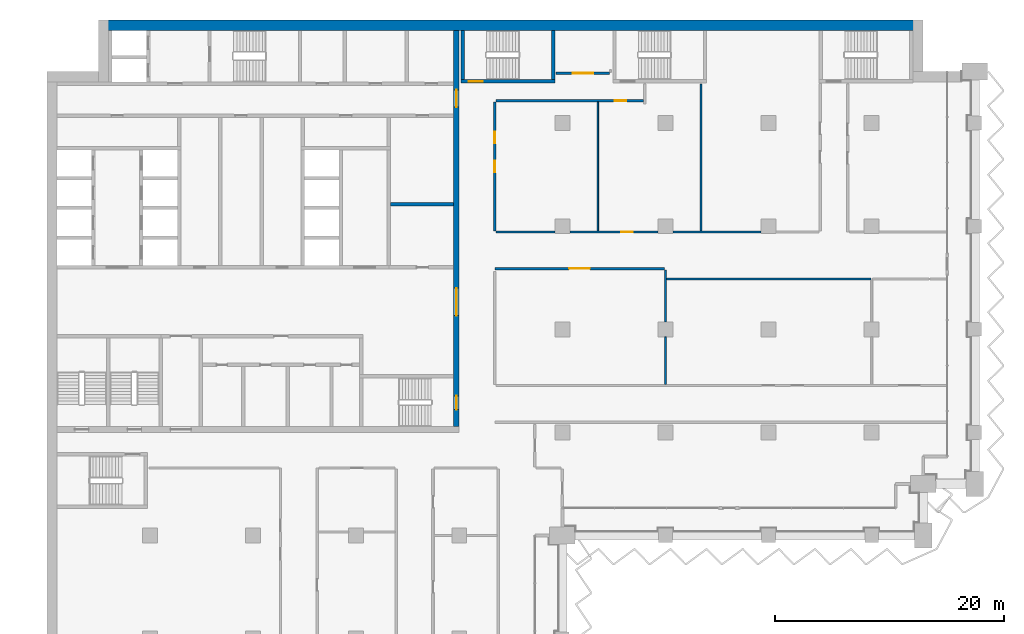
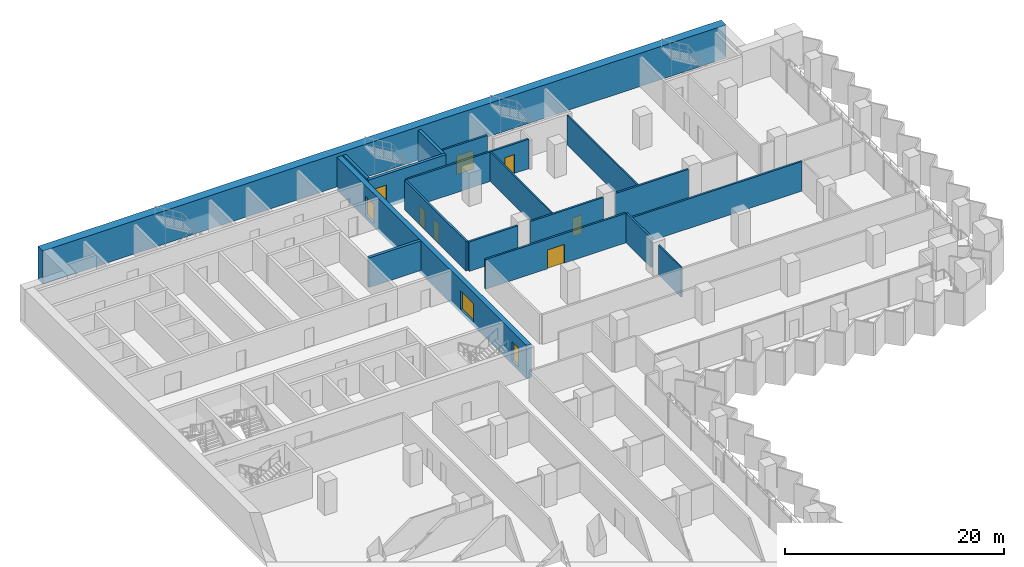
# One storey, part 14 of 23: 18 walls, 10 doors, 10 openings.
"""IFC4 building model written with IfcOpenShell, lengths in metres."""

from ifc_helpers import new_model, si_unit, direction, frame, frame_2d, origin, place, context, subcontext, project, spatial, rectangle, extrude, material, layer, layer_set, type_object, element, fill, save


model = new_model("IFC4")

# Units and contexts
model_context = context("Model", 3, precision=1e-05, world=origin(), true_north=direction((0.0, 1.0)))
body_context = subcontext(model_context, "Body", "Model", "MODEL_VIEW")
ifc_project = project(units=[si_unit("LENGTHUNIT", "METRE"), si_unit("AREAUNIT", "SQUARE_METRE"), si_unit("VOLUMEUNIT", "CUBIC_METRE"), si_unit("PLANEANGLEUNIT", "RADIAN"), si_unit("MASSUNIT", "GRAM", prefix="KILO")], contexts=[model_context])

# Site, building, storey
site_placement = place(None, origin())
site = spatial("IfcSite", under=ifc_project, at=site_placement, CompositionType="ELEMENT")
building_placement = place(site_placement, origin())
building = spatial("IfcBuilding", under=site, at=building_placement, Name="Hunhe Ridgeline Campus", CompositionType="ELEMENT")
storey_placement = place(building_placement, frame((0.0, 0.0, 121.800048828125)))
storey = spatial("IfcBuildingStorey", under=building, at=storey_placement, Name="L30", CompositionType="ELEMENT", Elevation=121.800048828125)

# Wall
ifc_material_1 = material(Name="Masonry concrete blockwork", Category="masonry")
ifc_layer_1 = layer(ifc_material_1, 0.300048828125)
ifc_layer_set_1 = layer_set([ifc_layer_1], Name="Core room partition 300 concrete block")
wall_type_1 = type_object("IfcWallType", Name="Core room partition 300 concrete block", PredefinedType="PARTITIONING", material=ifc_layer_set_1)
wall_1_placement = place(storey_placement, frame((30.0, 82.89990234375, 0.0), z_axis=(0.0, 0.0, 1.0), x_axis=(1.0, 0.0, 0.0)))
element("IfcWall", 1, at=wall_1_placement, inside=storey, type_object=wall_type_1, Name="L30 core partition 20", PredefinedType="PARTITIONING", context=body_context, shape_type="SweptSolid", body=[
    extrude(rectangle(XDim=5.5, YDim=0.300048828125, at=frame_2d((2.75, 0.0))), origin(), (0.0, 0.0, 1.0), 3.300048828125),
])

# Wall, openings, doors
ifc_material_2 = material(Name="Concrete C80", Category="concrete")
ifc_layer_2 = layer(ifc_material_2, 0.5)
ifc_layer_set_2 = layer_set([ifc_layer_2], Name="Core wall 500 reinforced concrete C80")
wall_type_2 = type_object("IfcWallType", Name="Core wall 500 reinforced concrete C80", PredefinedType="SOLIDWALL", material=ifc_layer_set_2)
wall_2_placement = place(storey_placement, frame((35.75, 63.5, -0.400146484375), z_axis=(0.0, 0.0, 1.0), x_axis=(0.0, 1.0, 0.0)))
wall_2 = element("IfcWall", 2, at=wall_2_placement, inside=storey, type_object=wall_type_2, Name="L30 core wall 61", PredefinedType="SOLIDWALL", context=body_context, shape_type="SweptSolid", body=[
    extrude(rectangle(XDim=34.60009765625, YDim=0.5, at=frame_2d((17.300048828125, 0.0))), origin(), (0.0, 0.0, 1.0), 3.7001953125),
])
opening_1_placement = place(wall_2_placement, frame((9.699951171875, 0.0, 0.39990234375)))
opening_1 = element("IfcOpeningElement", 3, at=opening_1_placement, cuts=wall_2, Name="Opening CD4", PredefinedType="OPENING", context=body_context, shape_type="SweptSolid", body=[
    extrude(rectangle(XDim=2.39990234375, YDim=2.10009765625, at=frame_2d((1.199951171875, 1.050048828125))), frame((0.0, 0.25, 0.0), z_axis=(0.0, -1.0, 0.0), x_axis=(1.0, 0.0, 0.0)), (0.0, 0.0, 1.0), 0.5),
])
opening_2_placement = place(wall_2_placement, frame((27.89990234375, 0.0, 0.39990234375)))
opening_2 = element("IfcOpeningElement", 4, at=opening_2_placement, cuts=wall_2, Name="Opening CD5", PredefinedType="OPENING", context=body_context, shape_type="SweptSolid", body=[
    extrude(rectangle(XDim=1.5, YDim=2.10009765625, at=frame_2d((0.75, 1.050048828125))), frame((0.0, 0.25, 0.0), z_axis=(0.0, -1.0, 0.0), x_axis=(1.0, 0.0, 0.0)), (0.0, 0.0, 1.0), 0.5),
])
opening_3_placement = place(wall_2_placement, frame((1.5, 0.0, 0.39990234375)))
opening_3 = element("IfcOpeningElement", 5, at=opening_3_placement, cuts=wall_2, Name="Opening CD15", PredefinedType="OPENING", context=body_context, shape_type="SweptSolid", body=[
    extrude(rectangle(XDim=1.199951171875, YDim=2.10009765625, at=frame_2d((0.60009765625, 1.050048828125))), frame((0.0, 0.25, 0.0), z_axis=(0.0, -1.0, 0.0), x_axis=(1.0, 0.0, 0.0)), (0.0, 0.0, 1.0), 0.5),
])
ifc_material_3 = material(Name="Anodised aluminium and glass", Category="aluminium")
door_type_1 = type_object("IfcDoorType", Name="Glazed double door 2400x2100", OperationType="DOUBLE_DOOR_SINGLE_SWING", PredefinedType="DOOR", material=ifc_material_3)
door_1_placement = place(opening_1_placement, frame((2.39990234375, 0.0, 0.0), z_axis=(0.0, 0.0, 1.0), x_axis=(-1.0, 0.0, 0.0)))
door_1 = element("IfcDoor", 6, at=door_1_placement, inside=storey, type_object=door_type_1, Name="L30 door HALL-FLOOR", OperationType="DOUBLE_DOOR_SINGLE_SWING", OverallHeight=2.10009765625, OverallWidth=2.39990234375, PredefinedType="DOOR", context=body_context, shape_type="SweptSolid", body=[
    extrude(rectangle(XDim=2.39990234375, YDim=2.10009765625, at=frame_2d((1.199951171875, 1.050048828125))), frame((0.0, 0.02490234375, 0.0), z_axis=(0.0, -1.0, 0.0), x_axis=(1.0, 0.0, 0.0)), (0.0, 0.0, 1.0), 0.050048828125),
])
fill(opening_1, door_1)
ifc_material_4 = material(Name="Hollow metal fire door leaf")
door_type_2 = type_object("IfcDoorType", Name="Stair door 1200x2100 FD60", OperationType="SINGLE_SWING_LEFT", PredefinedType="DOOR", material=ifc_material_4)
door_2_placement = place(opening_3_placement, frame((1.199951171875, 0.0, 0.0), z_axis=(0.0, 0.0, 1.0), x_axis=(-1.0, 0.0, 0.0)))
door_2 = element("IfcDoor", 7, at=door_2_placement, inside=storey, type_object=door_type_2, Name="L30 door S2-FLOOR", OperationType="SINGLE_SWING_RIGHT", OverallHeight=2.10009765625, OverallWidth=1.199951171875, PredefinedType="DOOR", context=body_context, shape_type="SweptSolid", body=[
    extrude(rectangle(XDim=1.199951171875, YDim=2.10009765625, at=frame_2d((0.60009765625, 1.050048828125))), frame((0.0, 0.02490234375, 0.0), z_axis=(0.0, -1.0, 0.0), x_axis=(1.0, 0.0, 0.0)), (0.0, 0.0, 1.0), 0.050048828125),
])
fill(opening_3, door_2)
ifc_material_5 = material(Name="Solid core timber door leaf", Category="wood")
door_type_3 = type_object("IfcDoorType", Name="Timber door 1500x2100", OperationType="SINGLE_SWING_LEFT", PredefinedType="DOOR", material=ifc_material_5)
door_3_placement = place(opening_2_placement, frame((1.5, 0.0, 0.0), z_axis=(0.0, 0.0, 1.0), x_axis=(-1.0, 0.0, 0.0)))
door_3 = element("IfcDoor", 8, at=door_3_placement, inside=storey, type_object=door_type_3, Name="L30 door C1-FLOOR", OperationType="SINGLE_SWING_RIGHT", OverallHeight=2.10009765625, OverallWidth=1.5, PredefinedType="DOOR", context=body_context, shape_type="SweptSolid", body=[
    extrude(rectangle(XDim=1.5, YDim=2.10009765625, at=frame_2d((0.75, 1.050048828125))), frame((0.0, 0.02490234375, 0.0), z_axis=(0.0, -1.0, 0.0), x_axis=(1.0, 0.0, 0.0)), (0.0, 0.0, 1.0), 0.050048828125),
])
fill(opening_2, door_3)

# Wall
ifc_material_6 = material(Name="Gypsum board partition")
ifc_layer_3 = layer(ifc_material_6, 0.199951171875)
ifc_layer_set_3 = layer_set([ifc_layer_3], Name="Corridor partition 200 gypsum board on steel studs")
wall_type_3 = type_object("IfcWallType", Name="Corridor partition 200 gypsum board on steel studs", PredefinedType="PARTITIONING", material=ifc_layer_set_3)
wall_3_placement = place(storey_placement, frame((71.925048828125, 76.40087890625, 0.0), z_axis=(0.0, 0.0, 1.0), x_axis=(-1.0, 0.0, 0.0)))
element("IfcWall", 9, at=wall_3_placement, inside=storey, type_object=wall_type_3, Name="F-L30-wall-041", PredefinedType="PARTITIONING", context=body_context, shape_type="SweptSolid", body=[
    extrude(rectangle(XDim=17.824951171875, YDim=0.199951171875, at=frame_2d((8.91259765625, 0.0))), origin(), (0.0, 0.0, 1.0), 3.300048828125),
])

# Wall, opening, door
wall_4_placement = place(storey_placement, frame((53.89990234375, 77.300048828125, 0.0), z_axis=(0.0, 0.0, 1.0), x_axis=(-1.0, 0.0, 0.0)))
wall_4 = element("IfcWall", 10, at=wall_4_placement, inside=storey, type_object=wall_type_3, Name="F-L30-wall-044", PredefinedType="PARTITIONING", context=body_context, shape_type="SweptSolid", body=[
    extrude(rectangle(XDim=14.7998046875, YDim=0.199951171875, at=frame_2d((7.39990234375, 0.0))), origin(), (0.0, 0.0, 1.0), 3.300048828125),
])
opening_4_placement = place(wall_4_placement, frame((6.5, 0.0, 0.0)))
opening_4 = element("IfcOpeningElement", 11, at=opening_4_placement, cuts=wall_4, Name="Opening RD2-026", PredefinedType="OPENING", context=body_context, shape_type="SweptSolid", body=[
    extrude(rectangle(XDim=1.800048828125, YDim=2.10009765625, at=frame_2d((0.89990234375, 1.050048828125))), frame((0.0, 0.10009765625, 0.0), z_axis=(0.0, -1.0, 0.0), x_axis=(1.0, 0.0, 0.0)), (0.0, 0.0, 1.0), 0.199951171875),
])
ifc_material_7 = material(Name="Timber door leaf", Category="wood")
door_type_4 = type_object("IfcDoorType", Name="Double fire door 1800x2100 timber FD60", OperationType="DOUBLE_DOOR_SINGLE_SWING", PredefinedType="DOOR", material=ifc_material_7)
door_4_placement = place(opening_4_placement, origin())
door_4 = element("IfcDoor", 12, at=door_4_placement, inside=storey, type_object=door_type_4, Name="F-L30-door-026", OperationType="DOUBLE_DOOR_SINGLE_SWING", OverallHeight=2.10009765625, OverallWidth=1.800048828125, PredefinedType="DOOR", context=body_context, shape_type="SweptSolid", body=[
    extrude(rectangle(XDim=1.800048828125, YDim=2.10009765625, at=frame_2d((0.89990234375, 1.050048828125))), frame((0.0, 0.02490234375, 0.0), z_axis=(0.0, -1.0, 0.0), x_axis=(1.0, 0.0, 0.0)), (0.0, 0.0, 1.0), 0.050048828125),
])
fill(opening_4, door_4)

# Wall
wall_5_placement = place(storey_placement, frame((39.199951171875, 80.5, 0.0), z_axis=(0.0, 0.0, 1.0), x_axis=(1.0, 0.0, 0.0)))
element("IfcWall", 13, at=wall_5_placement, inside=storey, type_object=wall_type_3, Name="F-L30-wall-045", PredefinedType="PARTITIONING", context=body_context, shape_type="SweptSolid", body=[
    extrude(rectangle(XDim=5.150146484375, YDim=0.199951171875, at=frame_2d((2.5751953125, 0.0))), origin(), (0.0, 0.0, 1.0), 3.300048828125),
])

# Wall, opening, door
wall_6_placement = place(storey_placement, frame((45.64990234375, 80.5, 0.0), z_axis=(0.0, 0.0, 1.0), x_axis=(1.0, 0.0, 0.0)))
wall_6 = element("IfcWall", 14, at=wall_6_placement, inside=storey, type_object=wall_type_3, Name="F-L30-wall-046", PredefinedType="PARTITIONING", context=body_context, shape_type="SweptSolid", body=[
    extrude(rectangle(XDim=7.7001953125, YDim=0.199951171875, at=frame_2d((3.85009765625, 0.0))), origin(), (0.0, 0.0, 1.0), 3.300048828125),
])
opening_5_placement = place(wall_6_placement, frame((4.5048828125, 0.0, 0.0)))
opening_5 = element("IfcOpeningElement", 15, at=opening_5_placement, cuts=wall_6, Name="Opening RD1-027", PredefinedType="OPENING", context=body_context, shape_type="SweptSolid", body=[
    extrude(rectangle(XDim=1.0, YDim=2.10009765625, at=frame_2d((0.5, 1.050048828125))), frame((0.0, 0.10009765625, 0.0), z_axis=(0.0, -1.0, 0.0), x_axis=(1.0, 0.0, 0.0)), (0.0, 0.0, 1.0), 0.199951171875),
])
door_type_5 = type_object("IfcDoorType", Name="Single fire door 1000x2100 timber FD60", OperationType="NOTDEFINED", PredefinedType="DOOR", material=ifc_material_7)
door_5_placement = place(opening_5_placement, frame((1.0, 0.0, 0.0), z_axis=(0.0, 0.0, 1.0), x_axis=(-1.0, 0.0, 0.0)))
door_5 = element("IfcDoor", 16, at=door_5_placement, inside=storey, type_object=door_type_5, Name="F-L30-door-027", OperationType="SINGLE_SWING_LEFT", OverallHeight=2.10009765625, OverallWidth=1.0, PredefinedType="DOOR", context=body_context, shape_type="SweptSolid", body=[
    extrude(rectangle(XDim=1.0, YDim=2.10009765625, at=frame_2d((0.5, 1.050048828125))), frame((0.0, 0.02490234375, 0.0), z_axis=(0.0, -1.0, 0.0), x_axis=(1.0, 0.0, 0.0)), (0.0, 0.0, 1.0), 0.050048828125),
])
fill(opening_5, door_5)

# Wall
wall_7_placement = place(storey_placement, frame((54.64990234375, 80.5, 0.0), z_axis=(0.0, 0.0, 1.0), x_axis=(1.0, 0.0, 0.0)))
element("IfcWall", 17, at=wall_7_placement, inside=storey, type_object=wall_type_3, Name="F-L30-wall-047", PredefinedType="PARTITIONING", context=body_context, shape_type="SweptSolid", body=[
    extrude(rectangle(XDim=7.7001953125, YDim=0.199951171875, at=frame_2d((3.85009765625, 0.0))), origin(), (0.0, 0.0, 1.0), 3.300048828125),
])

# Wall, opening, door
wall_8_placement = place(storey_placement, frame((52.10009765625, 91.949951171875, 0.0), z_axis=(0.0, 0.0, 1.0), x_axis=(-1.0, 0.0, 0.0)))
wall_8 = element("IfcWall", 18, at=wall_8_placement, inside=storey, type_object=wall_type_3, Name="F-L30-wall-051", PredefinedType="PARTITIONING", context=body_context, shape_type="SweptSolid", body=[
    extrude(rectangle(XDim=12.900146484375, YDim=0.199951171875, at=frame_2d((6.4501953125, 0.0))), origin(), (0.0, 0.0, 1.0), 3.300048828125),
])
opening_6_placement = place(wall_8_placement, frame((1.5234375, 0.0, 0.0)))
opening_6 = element("IfcOpeningElement", 19, at=opening_6_placement, cuts=wall_8, Name="Opening RD1-034", PredefinedType="OPENING", context=body_context, shape_type="SweptSolid", body=[
    extrude(rectangle(XDim=1.0, YDim=2.10009765625, at=frame_2d((0.5, 1.050048828125))), frame((0.0, 0.10009765625, 0.0), z_axis=(0.0, -1.0, 0.0), x_axis=(1.0, 0.0, 0.0)), (0.0, 0.0, 1.0), 0.199951171875),
])
door_6_placement = place(opening_6_placement, frame((1.0, 0.0, 0.0), z_axis=(0.0, 0.0, 1.0), x_axis=(-1.0, 0.0, 0.0)))
door_6 = element("IfcDoor", 20, at=door_6_placement, inside=storey, type_object=door_type_5, Name="F-L30-door-034", OperationType="SINGLE_SWING_RIGHT", OverallHeight=2.10009765625, OverallWidth=1.0, PredefinedType="DOOR", context=body_context, shape_type="SweptSolid", body=[
    extrude(rectangle(XDim=1.0, YDim=2.10009765625, at=frame_2d((0.5, 1.050048828125))), frame((0.0, 0.02490234375, 0.0), z_axis=(0.0, -1.0, 0.0), x_axis=(1.0, 0.0, 0.0)), (0.0, 0.0, 1.0), 0.050048828125),
])
fill(opening_6, door_6)

wall_9_placement = place(storey_placement, frame((44.4541015625, 94.35009765625, 0.0), z_axis=(0.0, 0.0, 1.0), x_axis=(1.0, 0.0, 0.0)))
wall_9 = element("IfcWall", 21, at=wall_9_placement, inside=storey, type_object=wall_type_3, Name="F-L30-wall-052", PredefinedType="PARTITIONING", context=body_context, shape_type="SweptSolid", body=[
    extrude(rectangle(XDim=4.6708984375, YDim=0.199951171875, at=frame_2d((2.33544921875, 0.0))), origin(), (0.0, 0.0, 1.0), 3.300048828125),
])
opening_7_placement = place(wall_9_placement, frame((1.435546875, 0.0, 0.0)))
opening_7 = element("IfcOpeningElement", 22, at=opening_7_placement, cuts=wall_9, Name="Opening RD2-035", PredefinedType="OPENING", context=body_context, shape_type="SweptSolid", body=[
    extrude(rectangle(XDim=1.800048828125, YDim=2.10009765625, at=frame_2d((0.89990234375, 1.050048828125))), frame((0.0, 0.10009765625, 0.0), z_axis=(0.0, -1.0, 0.0), x_axis=(1.0, 0.0, 0.0)), (0.0, 0.0, 1.0), 0.199951171875),
])
door_7_placement = place(opening_7_placement, origin())
door_7 = element("IfcDoor", 23, at=door_7_placement, inside=storey, type_object=door_type_4, Name="F-L30-door-035", OperationType="DOUBLE_DOOR_SINGLE_SWING", OverallHeight=2.10009765625, OverallWidth=1.800048828125, PredefinedType="DOOR", context=body_context, shape_type="SweptSolid", body=[
    extrude(rectangle(XDim=1.800048828125, YDim=2.10009765625, at=frame_2d((0.89990234375, 1.050048828125))), frame((0.0, 0.02490234375, 0.0), z_axis=(0.0, -1.0, 0.0), x_axis=(1.0, 0.0, 0.0)), (0.0, 0.0, 1.0), 0.050048828125),
])
fill(opening_7, door_7)

# Wall, openings, doors
wall_10_placement = place(storey_placement, frame((39.10009765625, 91.85009765625, 0.0), z_axis=(0.0, 0.0, 1.0), x_axis=(0.0, -1.0, 0.0)))
wall_10 = element("IfcWall", 24, at=wall_10_placement, inside=storey, type_object=wall_type_3, Name="F-L30-wall-065", PredefinedType="PARTITIONING", context=body_context, shape_type="SweptSolid", body=[
    extrude(rectangle(XDim=11.25, YDim=0.199951171875, at=frame_2d((5.625, 0.0))), origin(), (0.0, 0.0, 1.0), 3.300048828125),
])
opening_8_placement = place(wall_10_placement, frame((5.125, 0.0, 0.0)))
opening_8 = element("IfcOpeningElement", 25, at=opening_8_placement, cuts=wall_10, Name="Opening RD1-028", PredefinedType="OPENING", context=body_context, shape_type="SweptSolid", body=[
    extrude(rectangle(XDim=1.0, YDim=2.10009765625, at=frame_2d((0.5, 1.050048828125))), frame((0.0, 0.10009765625, 0.0), z_axis=(0.0, -1.0, 0.0), x_axis=(1.0, 0.0, 0.0)), (0.0, 0.0, 1.0), 0.199951171875),
])
opening_9_placement = place(wall_10_placement, frame((2.625, 0.0, 0.0)))
opening_9 = element("IfcOpeningElement", 26, at=opening_9_placement, cuts=wall_10, Name="Opening RD1-031", PredefinedType="OPENING", context=body_context, shape_type="SweptSolid", body=[
    extrude(rectangle(XDim=1.0, YDim=2.10009765625, at=frame_2d((0.5, 1.050048828125))), frame((0.0, 0.10009765625, 0.0), z_axis=(0.0, -1.0, 0.0), x_axis=(1.0, 0.0, 0.0)), (0.0, 0.0, 1.0), 0.199951171875),
])
door_8_placement = place(opening_8_placement, frame((1.0, 0.0, 0.0), z_axis=(0.0, 0.0, 1.0), x_axis=(-1.0, 0.0, 0.0)))
door_8 = element("IfcDoor", 27, at=door_8_placement, inside=storey, type_object=door_type_5, Name="F-L30-door-028", OperationType="SINGLE_SWING_LEFT", OverallHeight=2.10009765625, OverallWidth=1.0, PredefinedType="DOOR", context=body_context, shape_type="SweptSolid", body=[
    extrude(rectangle(XDim=1.0, YDim=2.10009765625, at=frame_2d((0.5, 1.050048828125))), frame((0.0, 0.02490234375, 0.0), z_axis=(0.0, -1.0, 0.0), x_axis=(1.0, 0.0, 0.0)), (0.0, 0.0, 1.0), 0.050048828125),
])
fill(opening_8, door_8)
door_9_placement = place(opening_9_placement, frame((1.0, 0.0, 0.0), z_axis=(0.0, 0.0, 1.0), x_axis=(-1.0, 0.0, 0.0)))
door_9 = element("IfcDoor", 28, at=door_9_placement, inside=storey, type_object=door_type_5, Name="F-L30-door-031", OperationType="SINGLE_SWING_RIGHT", OverallHeight=2.10009765625, OverallWidth=1.0, PredefinedType="DOOR", context=body_context, shape_type="SweptSolid", body=[
    extrude(rectangle(XDim=1.0, YDim=2.10009765625, at=frame_2d((0.5, 1.050048828125))), frame((0.0, 0.02490234375, 0.0), z_axis=(0.0, -1.0, 0.0), x_axis=(1.0, 0.0, 0.0)), (0.0, 0.0, 1.0), 0.050048828125),
])
fill(opening_9, door_9)

# Walls
wall_11_placement = place(storey_placement, frame((54.0, 77.199951171875, 0.0), z_axis=(0.0, 0.0, 1.0), x_axis=(0.0, -1.0, 0.0)))
element("IfcWall", 29, at=wall_11_placement, inside=storey, type_object=wall_type_3, Name="F-L30-wall-073", PredefinedType="PARTITIONING", context=body_context, shape_type="SweptSolid", body=[
    extrude(rectangle(XDim=4.550048828125, YDim=0.199951171875, at=frame_2d((2.27490234375, 0.0))), origin(), (0.0, 0.0, 1.0), 3.300048828125),
])
ifc_layer_4 = layer(ifc_material_6, 0.14990234375)
ifc_layer_set_4 = layer_set([ifc_layer_4], Name="Room partition 150 gypsum board on steel studs")
wall_type_4 = type_object("IfcWallType", Name="Room partition 150 gypsum board on steel studs", PredefinedType="PARTITIONING", material=ifc_layer_set_4)
wall_12_placement = place(storey_placement, frame((48.10009765625, 91.85009765625, 0.0), z_axis=(0.0, 0.0, 1.0), x_axis=(0.0, -1.0, 0.0)))
element("IfcWall", 30, at=wall_12_placement, inside=storey, type_object=wall_type_4, Name="F-L30-wall-069", PredefinedType="PARTITIONING", context=body_context, shape_type="SweptSolid", body=[
    extrude(rectangle(XDim=11.25, YDim=0.14990234375, at=frame_2d((5.625, 0.0))), origin(), (0.0, 0.0, 1.0), 3.300048828125),
])
wall_13_placement = place(storey_placement, frame((54.0, 71.35009765625, 0.0), z_axis=(0.0, 0.0, 1.0), x_axis=(0.0, -1.0, 0.0)))
element("IfcWall", 31, at=wall_13_placement, inside=storey, type_object=wall_type_4, Name="F-L30-wall-072", PredefinedType="PARTITIONING", context=body_context, shape_type="SweptSolid", body=[
    extrude(rectangle(XDim=4.150146484375, YDim=0.14990234375, at=frame_2d((2.0751953125, 0.0))), origin(), (0.0, 0.0, 1.0), 3.300048828125),
])
wall_14_placement = place(storey_placement, frame((57.10009765625, 93.39599609375, 0.0), z_axis=(0.0, 0.0, 1.0), x_axis=(0.0, -1.0, 0.0)))
element("IfcWall", 32, at=wall_14_placement, inside=storey, type_object=wall_type_4, Name="F-L30-wall-074", PredefinedType="PARTITIONING", context=body_context, shape_type="SweptSolid", body=[
    extrude(rectangle(XDim=12.7958984375, YDim=0.14990234375, at=frame_2d((6.39794921875, 0.0))), origin(), (0.0, 0.0, 1.0), 3.300048828125),
])
ifc_material_8 = material(Name="Concrete C70", Category="concrete")
ifc_layer_5 = layer(ifc_material_8, 0.89990234375)
ifc_layer_set_5 = layer_set([ifc_layer_5], Name="Spine wall 900 Concrete C70")
wall_type_5 = type_object("IfcWallType", Name="Spine wall 900 Concrete C70", PredefinedType="SHEAR", material=ifc_layer_set_5)
wall_15_placement = place(storey_placement, frame((76.5, 98.550048828125, 0.0), z_axis=(0.0, 0.0, 1.0), x_axis=(-1.0, 0.0, 0.0)))
element("IfcWall", 33, at=wall_15_placement, inside=storey, type_object=wall_type_5, Name="Spine wall SW2-4 L30", PredefinedType="SHEAR", context=body_context, shape_type="SweptSolid", body=[
    extrude(rectangle(XDim=72.0, YDim=0.89990234375, at=frame_2d((36.0, 0.0))), origin(), (0.0, 0.0, 1.0), 3.699951171875),
])

# Wall, opening, door
ifc_layer_6 = layer(ifc_material_2, 0.300048828125)
ifc_layer_set_6 = layer_set([ifc_layer_6], Name="Stair wall 300 reinforced concrete C80")
wall_type_6 = type_object("IfcWallType", Name="Stair wall 300 reinforced concrete C80", PredefinedType="SOLIDWALL", material=ifc_layer_set_6)
wall_16_placement = place(storey_placement, frame((36.14990234375, 93.64990234375, -0.400146484375), z_axis=(0.0, 0.0, 1.0), x_axis=(1.0, 0.0, 0.0)))
wall_16 = element("IfcWall", 34, at=wall_16_placement, inside=storey, type_object=wall_type_6, Name="L30 core wall 28", PredefinedType="SOLIDWALL", context=body_context, shape_type="SweptSolid", body=[
    extrude(rectangle(XDim=8.2001953125, YDim=0.300048828125, at=frame_2d((4.10009765625, 0.0))), origin(), (0.0, 0.0, 1.0), 3.7001953125),
])
opening_10_placement = place(wall_16_placement, frame((0.699951171875, 0.0, 0.39990234375)))
opening_10 = element("IfcOpeningElement", 35, at=opening_10_placement, cuts=wall_16, Name="Opening CD17", PredefinedType="OPENING", context=body_context, shape_type="SweptSolid", body=[
    extrude(rectangle(XDim=1.199951171875, YDim=2.10009765625, at=frame_2d((0.60009765625, 1.050048828125))), frame((0.0, 0.14990234375, 0.0), z_axis=(0.0, -1.0, 0.0), x_axis=(1.0, 0.0, 0.0)), (0.0, 0.0, 1.0), 0.300048828125),
])
door_10_placement = place(opening_10_placement, frame((1.199951171875, 0.0, 0.0), z_axis=(0.0, 0.0, 1.0), x_axis=(-1.0, 0.0, 0.0)))
door_10 = element("IfcDoor", 36, at=door_10_placement, inside=storey, type_object=door_type_2, Name="L30 door E1", OperationType="SINGLE_SWING_RIGHT", OverallHeight=2.10009765625, OverallWidth=1.199951171875, PredefinedType="DOOR", context=body_context, shape_type="SweptSolid", body=[
    extrude(rectangle(XDim=1.199951171875, YDim=2.10009765625, at=frame_2d((0.60009765625, 1.050048828125))), frame((0.0, 0.02490234375, 0.0), z_axis=(0.0, -1.0, 0.0), x_axis=(1.0, 0.0, 0.0)), (0.0, 0.0, 1.0), 0.050048828125),
])
fill(opening_10, door_10)

# Walls
for number, where, z_axis, x_axis, name in (
    (37, (36.300048828125, 93.800048828125, -0.400146484375), (0.0, 0.0, 1.0), (0.0, 1.0, 0.0), "L30 core wall 62"),
    (38, (44.199951171875, 93.800048828125, -0.400146484375), (0.0, 0.0, 1.0), (0.0, 1.0, 0.0), "L30 core wall 63"),
):
    element("IfcWall", number, at=place(storey_placement, frame(where, z_axis=z_axis, x_axis=x_axis)), inside=storey, type_object=wall_type_6, Name=name, PredefinedType="SOLIDWALL", context=body_context, shape_type="SweptSolid", body=[
        extrude(rectangle(XDim=4.300048828125, YDim=0.300048828125, at=frame_2d((2.14990234375, 0.0))), origin(), (0.0, 0.0, 1.0), 3.7001953125),
    ])

save(model, "model.ifc")
